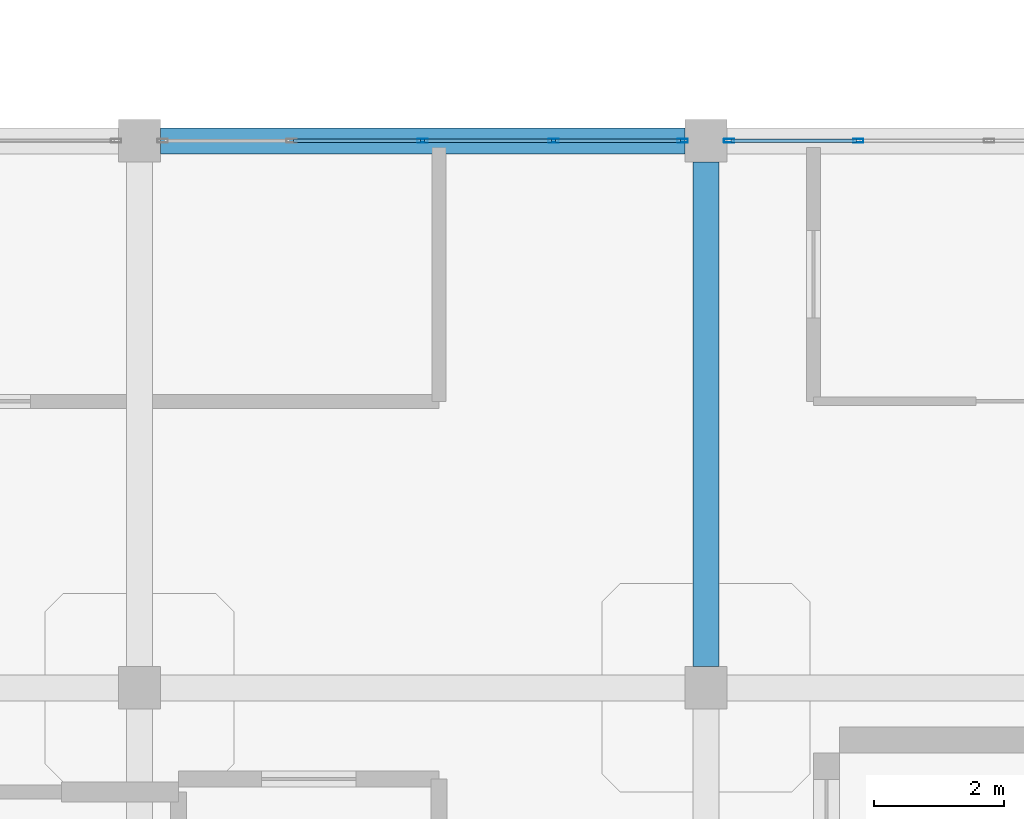
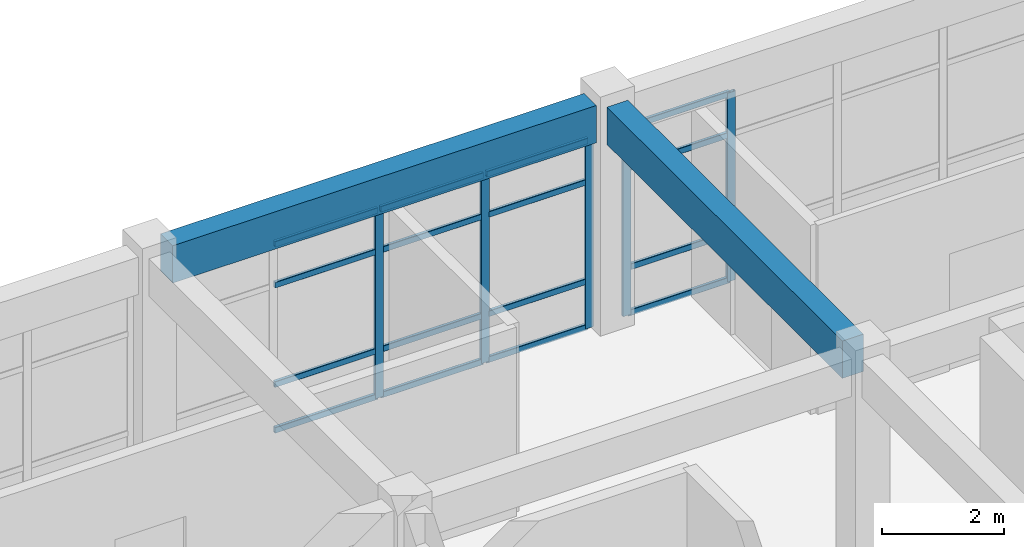
# One storey, part 19 of 41: 21 members, 2 beams, 2 elements without a shape of their own.
"""IFC4 building model written with IfcOpenShell, lengths in metres."""

from ifc_helpers import new_model, si_unit, derived_unit, direction, frame, origin, origin_2d, place, context, subcontext, project, spatial, rectangle, hollow_rectangle, extrude, material, layer, layer_set, material_profile, profile_set, type_object, element, aggregate, save


model = new_model("IFC4")

# Units and contexts
model_context = context("Model", 3, precision=1e-05, world=origin(), true_north=direction((0.0, 1.0)))
body_context = subcontext(model_context, "Body", "Model", "MODEL_VIEW")
ifc_project = project(units=[si_unit("LENGTHUNIT", "METRE"), si_unit("AREAUNIT", "SQUARE_METRE"), si_unit("VOLUMEUNIT", "CUBIC_METRE"), si_unit("PLANEANGLEUNIT", "RADIAN"), si_unit("MASSUNIT", "GRAM", prefix="KILO"), derived_unit("THERMALTRANSMITTANCEUNIT", [(si_unit("MASSUNIT", "GRAM", prefix="KILO"), 1), (si_unit("TIMEUNIT", "SECOND"), -3), (si_unit("THERMODYNAMICTEMPERATUREUNIT", "KELVIN"), -1)])], contexts=[model_context])

# Site, building, storey
site_placement = place(None, origin())
site = spatial("IfcSite", under=ifc_project, at=site_placement, CompositionType="ELEMENT")
building_placement = place(site_placement, origin())
building = spatial("IfcBuilding", under=site, at=building_placement, Name="Qinzheling Arcade Emporium", CompositionType="ELEMENT")
storey_placement = place(building_placement, frame((0.0, 0.0, 36.300048828125)))
storey = spatial("IfcBuildingStorey", under=building, at=storey_placement, Name="L08", CompositionType="ELEMENT", Elevation=36.300048828125)

# Curtain wall, members
ifc_material_1 = material(Name="Anodised aluminium and solar-control double glazing", Category="aluminium")
ifc_layer = layer(ifc_material_1, 0.159912109375, Name="Anodised aluminium and solar-control double glazing", Category="aluminium")
ifc_layer_set = layer_set([ifc_layer], Name="Anodised aluminium and solar-control double glazing")
curtain_wall_type = type_object("IfcCurtainWallType", Name="Atrium Clerestory Curtain Wall", PredefinedType="NOTDEFINED", material=ifc_layer_set)
curtain_wall_1_placement = place(storey_placement, origin())
curtain_wall_1 = element("IfcCurtainWall", 1, at=curtain_wall_1_placement, inside=storey, type_object=curtain_wall_type, Name="Curtain Wall CW-L08-466", PredefinedType="NOTDEFINED")
ifc_material_2 = material(Name="Anodised aluminium 6063-T6", Category="aluminium")
ifc_material_profile_1 = material_profile(ifc_material_2, hollow_rectangle(XDim=0.06005859375, YDim=0.159912109375, WallThickness=0.00390625, InnerFilletRadius=0.00390625, OuterFilletRadius=0.008056640625, at=origin_2d()), Name="RHS 160x60x4", Category="aluminium")
ifc_profile_set_1 = profile_set([ifc_material_profile_1], Name="Anodised aluminium 6063-T6")
member_type_1 = type_object("IfcMemberType", Name="Curtain Wall Mullion RHS160x60", PredefinedType="MULLION", material=ifc_profile_set_1)
member_1_placement = place(storey_placement, frame((56.550048828125, 42.0, 0.0), z_axis=(0.0, 0.0, 1.0), x_axis=(0.0, 1.0, 0.0)))
member_1 = element("IfcMember", 2, at=member_1_placement, type_object=member_type_1, Name="CW03 mullion 3", PredefinedType="MULLION", context=body_context, shape_type="SweptSolid", body=[
    extrude(hollow_rectangle(XDim=0.06005859375, YDim=0.159912109375, WallThickness=0.00390625, InnerFilletRadius=0.00390625, OuterFilletRadius=0.008056640625, at=origin_2d()), origin(), (0.0, 0.0, 1.0), 3.794921875),
])
member_2_placement = place(storey_placement, frame((58.5615234375, 42.0, 0.0), z_axis=(0.0, 0.0, 1.0), x_axis=(0.0, 1.0, 0.0)))
member_2 = element("IfcMember", 3, at=member_2_placement, type_object=member_type_1, Name="CW03 mullion 4", PredefinedType="MULLION", context=body_context, shape_type="SweptSolid", body=[
    extrude(hollow_rectangle(XDim=0.06005859375, YDim=0.159912109375, WallThickness=0.00390625, InnerFilletRadius=0.00390625, OuterFilletRadius=0.008056640625, at=origin_2d()), origin(), (0.0, 0.0, 1.0), 3.794921875),
])
member_3_placement = place(storey_placement, frame((60.54296875, 42.0, 0.0), z_axis=(0.0, 0.0, 1.0), x_axis=(0.0, 1.0, 0.0)))
member_3 = element("IfcMember", 4, at=member_3_placement, type_object=member_type_1, Name="CW03 mullion 5", PredefinedType="MULLION", context=body_context, shape_type="SweptSolid", body=[
    extrude(hollow_rectangle(XDim=0.06005859375, YDim=0.159912109375, WallThickness=0.00390625, InnerFilletRadius=0.00390625, OuterFilletRadius=0.008056640625, at=origin_2d()), origin(), (0.0, 0.0, 1.0), 3.794921875),
])

curtain_wall_2_placement = place(storey_placement, origin())
curtain_wall_2 = element("IfcCurtainWall", 5, at=curtain_wall_2_placement, inside=storey, type_object=curtain_wall_type, Name="Curtain Wall CW-L08-467", PredefinedType="NOTDEFINED")
member_4_placement = place(storey_placement, frame((61.257080078125, 42.0, 0.0), z_axis=(0.0, 0.0, 1.0), x_axis=(0.0, 1.0, 0.0)))
member_4 = element("IfcMember", 6, at=member_4_placement, type_object=member_type_1, Name="CW03 mullion 1", PredefinedType="MULLION", context=body_context, shape_type="SweptSolid", body=[
    extrude(hollow_rectangle(XDim=0.06005859375, YDim=0.159912109375, WallThickness=0.00390625, InnerFilletRadius=0.00390625, OuterFilletRadius=0.008056640625, at=origin_2d()), origin(), (0.0, 0.0, 1.0), 3.794921875),
])
member_5_placement = place(storey_placement, frame((63.238525390625, 42.0, 0.0), z_axis=(0.0, 0.0, 1.0), x_axis=(0.0, 1.0, 0.0)))
member_5 = element("IfcMember", 7, at=member_5_placement, type_object=member_type_1, Name="CW03 mullion 2", PredefinedType="MULLION", context=body_context, shape_type="SweptSolid", body=[
    extrude(hollow_rectangle(XDim=0.06005859375, YDim=0.159912109375, WallThickness=0.00390625, InnerFilletRadius=0.00390625, OuterFilletRadius=0.008056640625, at=origin_2d()), origin(), (0.0, 0.0, 1.0), 3.794921875),
])

# Member
ifc_material_profile_2 = material_profile(ifc_material_2, hollow_rectangle(XDim=0.06005859375, YDim=0.1201171875, WallThickness=0.00390625, InnerFilletRadius=0.00390625, OuterFilletRadius=0.008056640625, at=origin_2d()), Name="RHS 120x60x4", Category="aluminium")
ifc_profile_set_2 = profile_set([ifc_material_profile_2], Name="Anodised aluminium 6063-T6")
member_type_2 = type_object("IfcMemberType", Name="Curtain Wall Transom RHS120x60", PredefinedType="USERDEFINED", material=ifc_profile_set_2)
member_6_placement = place(storey_placement, frame((54.568603515625, 42.0, 0.030029296875), z_axis=(1.0, 0.0, 0.0), x_axis=(0.0, 1.0, 0.0)))
member_6 = element("IfcMember", 8, at=member_6_placement, type_object=member_type_2, Name="CW03 transom 2.1", ObjectType="TRANSOM", PredefinedType="USERDEFINED", context=body_context, shape_type="SweptSolid", body=[
    extrude(hollow_rectangle(XDim=0.06005859375, YDim=0.1201171875, WallThickness=0.00390625, InnerFilletRadius=0.00390625, OuterFilletRadius=0.008056640625, at=origin_2d()), origin(), (0.0, 0.0, 1.0), 1.951416015625),
])

member_7_placement = place(storey_placement, frame((54.568603515625, 42.0, 0.949951171875), z_axis=(1.0, 0.0, 0.0), x_axis=(0.0, 1.0, 0.0)))
member_7 = element("IfcMember", 9, at=member_7_placement, type_object=member_type_2, Name="CW03 transom 2.2", ObjectType="TRANSOM", PredefinedType="USERDEFINED", context=body_context, shape_type="SweptSolid", body=[
    extrude(hollow_rectangle(XDim=0.06005859375, YDim=0.1201171875, WallThickness=0.00390625, InnerFilletRadius=0.00390625, OuterFilletRadius=0.008056640625, at=origin_2d()), origin(), (0.0, 0.0, 1.0), 1.951416015625),
])

member_8_placement = place(storey_placement, frame((54.568603515625, 42.0, 2.945068359375), z_axis=(1.0, 0.0, 0.0), x_axis=(0.0, 1.0, 0.0)))
member_8 = element("IfcMember", 10, at=member_8_placement, type_object=member_type_2, Name="CW03 transom 2.3", ObjectType="TRANSOM", PredefinedType="USERDEFINED", context=body_context, shape_type="SweptSolid", body=[
    extrude(hollow_rectangle(XDim=0.06005859375, YDim=0.1201171875, WallThickness=0.00390625, InnerFilletRadius=0.00390625, OuterFilletRadius=0.008056640625, at=origin_2d()), origin(), (0.0, 0.0, 1.0), 1.951416015625),
])

member_9_placement = place(storey_placement, frame((54.568603515625, 42.0, 3.764892578125), z_axis=(1.0, 0.0, 0.0), x_axis=(0.0, 1.0, 0.0)))
member_9 = element("IfcMember", 11, at=member_9_placement, type_object=member_type_2, Name="CW03 transom 2.4", ObjectType="TRANSOM", PredefinedType="USERDEFINED", context=body_context, shape_type="SweptSolid", body=[
    extrude(hollow_rectangle(XDim=0.06005859375, YDim=0.1201171875, WallThickness=0.00390625, InnerFilletRadius=0.00390625, OuterFilletRadius=0.008056640625, at=origin_2d()), origin(), (0.0, 0.0, 1.0), 1.951416015625),
])

member_10_placement = place(storey_placement, frame((56.580078125, 42.0, 0.030029296875), z_axis=(1.0, 0.0, 0.0), x_axis=(0.0, 1.0, 0.0)))
member_10 = element("IfcMember", 12, at=member_10_placement, type_object=member_type_2, Name="CW03 transom 3.1", ObjectType="TRANSOM", PredefinedType="USERDEFINED", context=body_context, shape_type="SweptSolid", body=[
    extrude(hollow_rectangle(XDim=0.06005859375, YDim=0.1201171875, WallThickness=0.00390625, InnerFilletRadius=0.00390625, OuterFilletRadius=0.008056640625, at=origin_2d()), origin(), (0.0, 0.0, 1.0), 1.951416015625),
])

member_11_placement = place(storey_placement, frame((56.580078125, 42.0, 0.949951171875), z_axis=(1.0, 0.0, 0.0), x_axis=(0.0, 1.0, 0.0)))
member_11 = element("IfcMember", 13, at=member_11_placement, type_object=member_type_2, Name="CW03 transom 3.2", ObjectType="TRANSOM", PredefinedType="USERDEFINED", context=body_context, shape_type="SweptSolid", body=[
    extrude(hollow_rectangle(XDim=0.06005859375, YDim=0.1201171875, WallThickness=0.00390625, InnerFilletRadius=0.00390625, OuterFilletRadius=0.008056640625, at=origin_2d()), origin(), (0.0, 0.0, 1.0), 1.951416015625),
])

member_12_placement = place(storey_placement, frame((56.580078125, 42.0, 2.945068359375), z_axis=(1.0, 0.0, 0.0), x_axis=(0.0, 1.0, 0.0)))
member_12 = element("IfcMember", 14, at=member_12_placement, type_object=member_type_2, Name="CW03 transom 3.3", ObjectType="TRANSOM", PredefinedType="USERDEFINED", context=body_context, shape_type="SweptSolid", body=[
    extrude(hollow_rectangle(XDim=0.06005859375, YDim=0.1201171875, WallThickness=0.00390625, InnerFilletRadius=0.00390625, OuterFilletRadius=0.008056640625, at=origin_2d()), origin(), (0.0, 0.0, 1.0), 1.951416015625),
])

member_13_placement = place(storey_placement, frame((56.580078125, 42.0, 3.764892578125), z_axis=(1.0, 0.0, 0.0), x_axis=(0.0, 1.0, 0.0)))
member_13 = element("IfcMember", 15, at=member_13_placement, type_object=member_type_2, Name="CW03 transom 3.4", ObjectType="TRANSOM", PredefinedType="USERDEFINED", context=body_context, shape_type="SweptSolid", body=[
    extrude(hollow_rectangle(XDim=0.06005859375, YDim=0.1201171875, WallThickness=0.00390625, InnerFilletRadius=0.00390625, OuterFilletRadius=0.008056640625, at=origin_2d()), origin(), (0.0, 0.0, 1.0), 1.951416015625),
])

member_14_placement = place(storey_placement, frame((58.591552734375, 42.0, 0.030029296875), z_axis=(1.0, 0.0, 0.0), x_axis=(0.0, 1.0, 0.0)))
member_14 = element("IfcMember", 16, at=member_14_placement, type_object=member_type_2, Name="CW03 transom 4.1", ObjectType="TRANSOM", PredefinedType="USERDEFINED", context=body_context, shape_type="SweptSolid", body=[
    extrude(hollow_rectangle(XDim=0.06005859375, YDim=0.1201171875, WallThickness=0.00390625, InnerFilletRadius=0.00390625, OuterFilletRadius=0.008056640625, at=origin_2d()), origin(), (0.0, 0.0, 1.0), 1.92138671875),
])

member_15_placement = place(storey_placement, frame((58.591552734375, 42.0, 0.949951171875), z_axis=(1.0, 0.0, 0.0), x_axis=(0.0, 1.0, 0.0)))
member_15 = element("IfcMember", 17, at=member_15_placement, type_object=member_type_2, Name="CW03 transom 4.2", ObjectType="TRANSOM", PredefinedType="USERDEFINED", context=body_context, shape_type="SweptSolid", body=[
    extrude(hollow_rectangle(XDim=0.06005859375, YDim=0.1201171875, WallThickness=0.00390625, InnerFilletRadius=0.00390625, OuterFilletRadius=0.008056640625, at=origin_2d()), origin(), (0.0, 0.0, 1.0), 1.92138671875),
])

member_16_placement = place(storey_placement, frame((58.591552734375, 42.0, 2.945068359375), z_axis=(1.0, 0.0, 0.0), x_axis=(0.0, 1.0, 0.0)))
member_16 = element("IfcMember", 18, at=member_16_placement, type_object=member_type_2, Name="CW03 transom 4.3", ObjectType="TRANSOM", PredefinedType="USERDEFINED", context=body_context, shape_type="SweptSolid", body=[
    extrude(hollow_rectangle(XDim=0.06005859375, YDim=0.1201171875, WallThickness=0.00390625, InnerFilletRadius=0.00390625, OuterFilletRadius=0.008056640625, at=origin_2d()), origin(), (0.0, 0.0, 1.0), 1.92138671875),
])

member_17_placement = place(storey_placement, frame((58.591552734375, 42.0, 3.764892578125), z_axis=(1.0, 0.0, 0.0), x_axis=(0.0, 1.0, 0.0)))
member_17 = element("IfcMember", 19, at=member_17_placement, type_object=member_type_2, Name="CW03 transom 4.4", ObjectType="TRANSOM", PredefinedType="USERDEFINED", context=body_context, shape_type="SweptSolid", body=[
    extrude(hollow_rectangle(XDim=0.06005859375, YDim=0.1201171875, WallThickness=0.00390625, InnerFilletRadius=0.00390625, OuterFilletRadius=0.008056640625, at=origin_2d()), origin(), (0.0, 0.0, 1.0), 1.92138671875),
])

aggregate(curtain_wall_1, [member_1, member_2, member_3, member_6, member_7, member_8, member_9, member_10, member_11, member_12, member_13, member_14, member_15, member_16, member_17])

member_18_placement = place(storey_placement, frame((61.287109375, 42.0, 0.030029296875), z_axis=(1.0, 0.0, 0.0), x_axis=(0.0, 1.0, 0.0)))
member_18 = element("IfcMember", 20, at=member_18_placement, type_object=member_type_2, Name="CW03 transom 1.1", ObjectType="TRANSOM", PredefinedType="USERDEFINED", context=body_context, shape_type="SweptSolid", body=[
    extrude(hollow_rectangle(XDim=0.06005859375, YDim=0.1201171875, WallThickness=0.00390625, InnerFilletRadius=0.00390625, OuterFilletRadius=0.008056640625, at=origin_2d()), origin(), (0.0, 0.0, 1.0), 1.92138671875),
])

member_19_placement = place(storey_placement, frame((61.287109375, 42.0, 0.949951171875), z_axis=(1.0, 0.0, 0.0), x_axis=(0.0, 1.0, 0.0)))
member_19 = element("IfcMember", 21, at=member_19_placement, type_object=member_type_2, Name="CW03 transom 1.2", ObjectType="TRANSOM", PredefinedType="USERDEFINED", context=body_context, shape_type="SweptSolid", body=[
    extrude(hollow_rectangle(XDim=0.06005859375, YDim=0.1201171875, WallThickness=0.00390625, InnerFilletRadius=0.00390625, OuterFilletRadius=0.008056640625, at=origin_2d()), origin(), (0.0, 0.0, 1.0), 1.92138671875),
])

member_20_placement = place(storey_placement, frame((61.287109375, 42.0, 2.945068359375), z_axis=(1.0, 0.0, 0.0), x_axis=(0.0, 1.0, 0.0)))
member_20 = element("IfcMember", 22, at=member_20_placement, type_object=member_type_2, Name="CW03 transom 1.3", ObjectType="TRANSOM", PredefinedType="USERDEFINED", context=body_context, shape_type="SweptSolid", body=[
    extrude(hollow_rectangle(XDim=0.06005859375, YDim=0.1201171875, WallThickness=0.00390625, InnerFilletRadius=0.00390625, OuterFilletRadius=0.008056640625, at=origin_2d()), origin(), (0.0, 0.0, 1.0), 1.92138671875),
])

member_21_placement = place(storey_placement, frame((61.287109375, 42.0, 3.764892578125), z_axis=(1.0, 0.0, 0.0), x_axis=(0.0, 1.0, 0.0)))
member_21 = element("IfcMember", 23, at=member_21_placement, type_object=member_type_2, Name="CW03 transom 1.4", ObjectType="TRANSOM", PredefinedType="USERDEFINED", context=body_context, shape_type="SweptSolid", body=[
    extrude(hollow_rectangle(XDim=0.06005859375, YDim=0.1201171875, WallThickness=0.00390625, InnerFilletRadius=0.00390625, OuterFilletRadius=0.008056640625, at=origin_2d()), origin(), (0.0, 0.0, 1.0), 1.92138671875),
])

aggregate(curtain_wall_2, [member_4, member_5, member_18, member_19, member_20, member_21])

# Beams
ifc_material_3 = material(Name="Concrete C40", Category="concrete")
ifc_material_profile_3 = material_profile(ifc_material_3, rectangle(XDim=0.39990234375, YDim=0.75, at=origin_2d()), Name="RC 400x750", Category="concrete")
ifc_profile_set_3 = profile_set([ifc_material_profile_3], Name="Concrete C40")
beam_type = type_object("IfcBeamType", Name="RC Interior Tie Beam 400x750 C40", PredefinedType="BEAM", material=ifc_profile_set_3)
beam_1_placement = place(storey_placement, frame((52.52490234375, 42.0, 4.18505859375), z_axis=(1.0, 0.0, 0.0), x_axis=(0.0, 1.0, 0.0)))
element("IfcBeam", 24, at=beam_1_placement, inside=storey, type_object=beam_type, Name="Beam BM-L08-X-F-7", PredefinedType="BEAM", context=body_context, shape_type="SweptSolid", body=[
    extrude(rectangle(XDim=0.39990234375, YDim=0.75, at=origin_2d()), origin(), (0.0, 0.0, 1.0), 8.050048828125),
])
beam_2_placement = place(storey_placement, frame((60.89990234375, 33.925048828125, 4.18505859375), z_axis=(0.0, 1.0, 0.0), x_axis=(-1.0, 0.0, 0.0)))
element("IfcBeam", 25, at=beam_2_placement, inside=storey, type_object=beam_type, Name="Beam BM-L08-Y-8-E", PredefinedType="BEAM", context=body_context, shape_type="SweptSolid", body=[
    extrude(rectangle(XDim=0.39990234375, YDim=0.75, at=origin_2d()), origin(), (0.0, 0.0, 1.0), 7.75),
])

save(model, "model.ifc")
